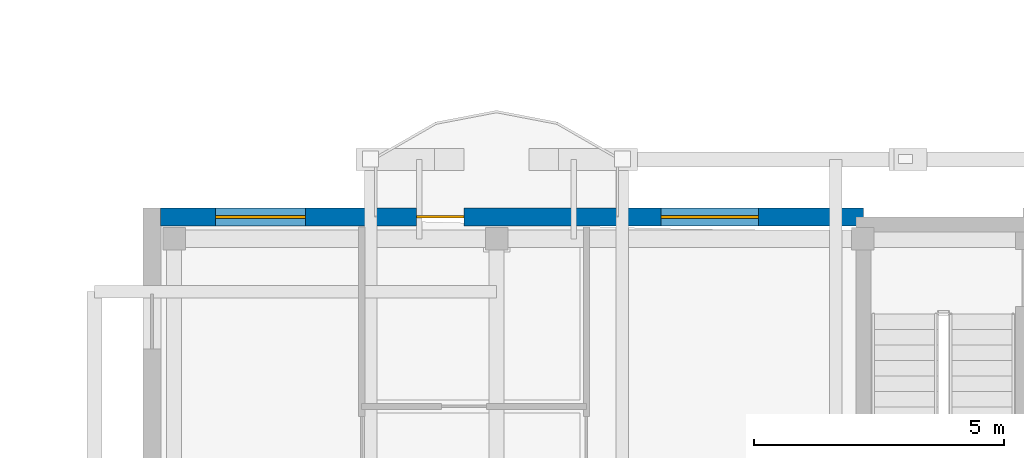
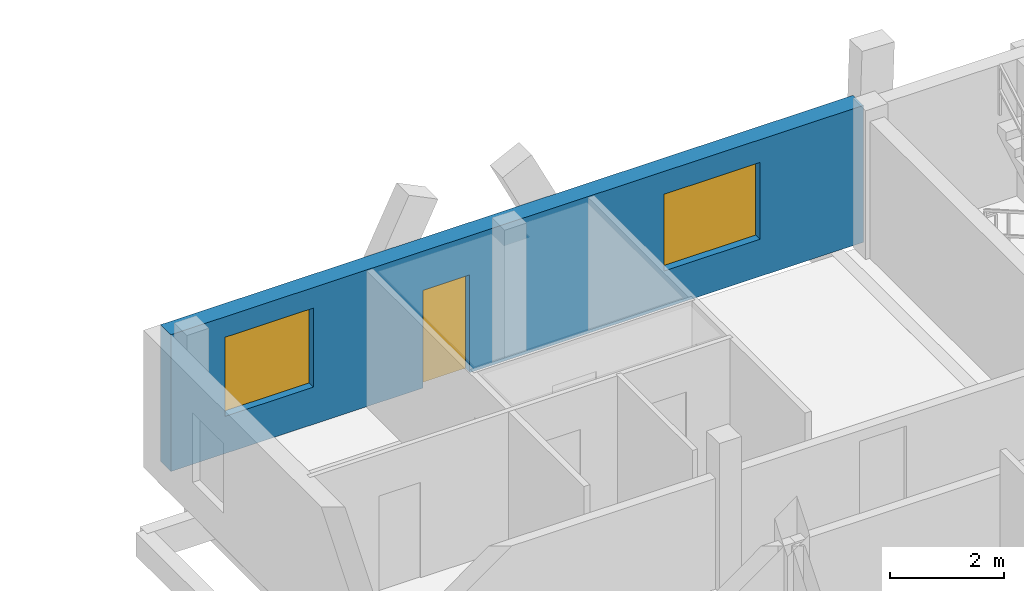
# One storey, part 23 of 52: 2 windows, 1 door, 1 wall, 3 openings.
"""IFC4 building model written with IfcOpenShell, lengths in metres."""

from ifc_helpers import new_model, si_unit, direction, frame, frame_2d, origin, origin_with_axes, place, context, subcontext, project, spatial, rectangle, extrude, material, layer, layer_set, type_object, element, fill, save


model = new_model("IFC4")

# Units and contexts
model_context = context("Model", 3, precision=1e-05, world=origin(), true_north=direction((0.0, 1.0)))
body_context = subcontext(model_context, "Body", "Model", "MODEL_VIEW")
ifc_project = project(units=[si_unit("LENGTHUNIT", "METRE"), si_unit("AREAUNIT", "SQUARE_METRE"), si_unit("VOLUMEUNIT", "CUBIC_METRE"), si_unit("PLANEANGLEUNIT", "RADIAN"), si_unit("MASSUNIT", "GRAM", prefix="KILO")], contexts=[model_context])

# Site, building, storey
site_placement = place(None, origin())
site = spatial("IfcSite", under=ifc_project, at=site_placement, CompositionType="ELEMENT")
building_placement = place(site_placement, origin())
building = spatial("IfcBuilding", under=site, at=building_placement, Name="Zavelmont Quarter", CompositionType="ELEMENT")
storey_placement = place(building_placement, frame((0.0, 0.0, 14.39990234375)))
storey = spatial("IfcBuildingStorey", under=building, at=storey_placement, Name="L04", CompositionType="ELEMENT", Elevation=14.39990234375)

# Wall, openings, door, windows
ifc_material_1 = material(Name="Natural Belgian limestone", Category="masonry")
ifc_layer = layer(ifc_material_1, 0.360107421875)
ifc_layer_set = layer_set([ifc_layer], Name="Natural Belgian limestone")
wall_type = type_object("IfcWallType", Name="EW02", PredefinedType="STANDARD", material=ifc_layer_set)
wall_placement = place(storey_placement, frame((112.969970703125, 18.39990234375, 0.0), z_axis=(0.0, 0.0, 1.0), x_axis=(1.0, 0.0, 0.0)))
wall = element("IfcWall", 1, at=wall_placement, inside=storey, type_object=wall_type, Name="L04 exterior limestone wall EW02", PredefinedType="STANDARD", context=body_context, shape_type="SweptSolid", body=[
    extrude(rectangle(XDim=14.080078125, YDim=0.360107421875, at=frame_2d((7.0400390625, 0.0))), origin(), (0.0, 0.0, 1.0), 2.940185546875),
])
opening_1_placement = place(wall_placement, frame((5.126708984375, 0.0, 0.0)))
opening_1 = element("IfcOpeningElement", 2, at=opening_1_placement, cuts=wall, Name="Opening DR04", PredefinedType="OPENING", context=body_context, shape_type="SweptSolid", body=[
    extrude(rectangle(XDim=0.949951171875, YDim=2.10009765625, at=frame_2d((0.47509765625, 1.050048828125))), frame((0.0, 0.19189453125, 0.0), z_axis=(0.0, -1.0, 0.0), x_axis=(1.0, 0.0, 0.0)), (0.0, 0.0, 1.0), 0.384033203125),
])
opening_2_placement = place(wall_placement, frame((1.10009765625, 0.0, 0.800048828125)))
opening_2 = element("IfcOpeningElement", 3, at=opening_2_placement, cuts=wall, Name="Opening WN02", PredefinedType="OPENING", context=body_context, shape_type="SweptSolid", body=[
    extrude(rectangle(XDim=1.800048828125, YDim=1.699951171875, at=frame_2d((0.89990234375, 0.85009765625))), frame((0.0, 0.19189453125, 0.0), z_axis=(0.0, -1.0, 0.0), x_axis=(1.0, 0.0, 0.0)), (0.0, 0.0, 1.0), 0.384033203125),
])
opening_3_placement = place(wall_placement, frame((10.02490234375, 0.0, 0.800048828125)))
opening_3 = element("IfcOpeningElement", 4, at=opening_3_placement, cuts=wall, Name="Opening WN24", PredefinedType="OPENING", context=body_context, shape_type="SweptSolid", body=[
    extrude(rectangle(XDim=1.949951171875, YDim=1.64990234375, at=frame_2d((0.97509765625, 0.824951171875))), frame((0.0, 0.19189453125, 0.0), z_axis=(0.0, -1.0, 0.0), x_axis=(1.0, 0.0, 0.0)), (0.0, 0.0, 1.0), 0.384033203125),
])
ifc_material_2 = material(Name="Thermally broken aluminium and double safety glass", Category="aluminium")
door_type = type_object("IfcDoorType", Name="DR04", OperationType="NOTDEFINED", PredefinedType="DOOR", material=ifc_material_2)
door_placement = place(opening_1_placement, frame((0.949951171875, 0.0, 0.0), z_axis=(0.0, 0.0, 1.0), x_axis=(-1.0, 0.0, 0.0)))
door = element("IfcDoor", 5, at=door_placement, inside=storey, type_object=door_type, Name="Block D L04 glazed balcony door", OperationType="SINGLE_SWING_LEFT", OverallHeight=2.10009765625, OverallWidth=0.949951171875, PredefinedType="DOOR", context=body_context, shape_type="SweptSolid", body=[
    extrude(rectangle(XDim=0.949951171875, YDim=2.10009765625, at=frame_2d((0.47509765625, 1.050048828125))), frame((0.0, 0.02490234375, 0.0), z_axis=(0.0, -1.0, 0.0), x_axis=(1.0, 0.0, 0.0)), (0.0, 0.0, 1.0), 0.050048828125),
])
fill(opening_1, door)
ifc_material_3 = material(Name="Double low-E insulated glazing in thermally broken aluminium frame", Category="aluminium")
window_type_1 = type_object("IfcWindowType", Name="WN02", PartitioningType="SINGLE_PANEL", PredefinedType="WINDOW", material=ifc_material_3)
window_1_placement = place(opening_2_placement, origin_with_axes())
window_1 = element("IfcWindow", 6, at=window_1_placement, inside=storey, type_object=window_type_1, Name="L04 window WN02", OverallHeight=1.699951171875, OverallWidth=1.800048828125, PartitioningType="SINGLE_PANEL", PredefinedType="WINDOW", context=body_context, shape_type="SweptSolid", body=[
    extrude(rectangle(XDim=1.800048828125, YDim=1.699951171875, at=frame_2d((0.89990234375, 0.85009765625))), frame((0.0, 0.030029296875, 0.0), z_axis=(0.0, -1.0, 0.0), x_axis=(1.0, 0.0, 0.0)), (0.0, 0.0, 1.0), 0.06005859375),
])
fill(opening_2, window_1)
window_type_2 = type_object("IfcWindowType", Name="WN24", PartitioningType="SINGLE_PANEL", PredefinedType="WINDOW", material=ifc_material_3)
window_2_placement = place(opening_3_placement, origin_with_axes())
window_2 = element("IfcWindow", 7, at=window_2_placement, inside=storey, type_object=window_type_2, Name="L04 window WN24", OverallHeight=1.64990234375, OverallWidth=1.949951171875, PartitioningType="SINGLE_PANEL", PredefinedType="WINDOW", context=body_context, shape_type="SweptSolid", body=[
    extrude(rectangle(XDim=1.949951171875, YDim=1.64990234375, at=frame_2d((0.97509765625, 0.824951171875))), frame((0.0, 0.030029296875, 0.0), z_axis=(0.0, -1.0, 0.0), x_axis=(1.0, 0.0, 0.0)), (0.0, 0.0, 1.0), 0.06005859375),
])
fill(opening_3, window_2)

save(model, "model.ifc")
